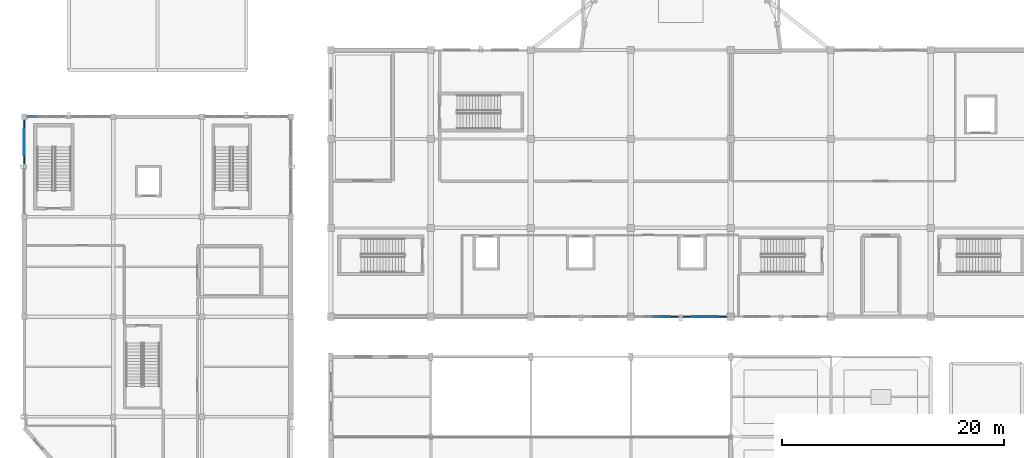
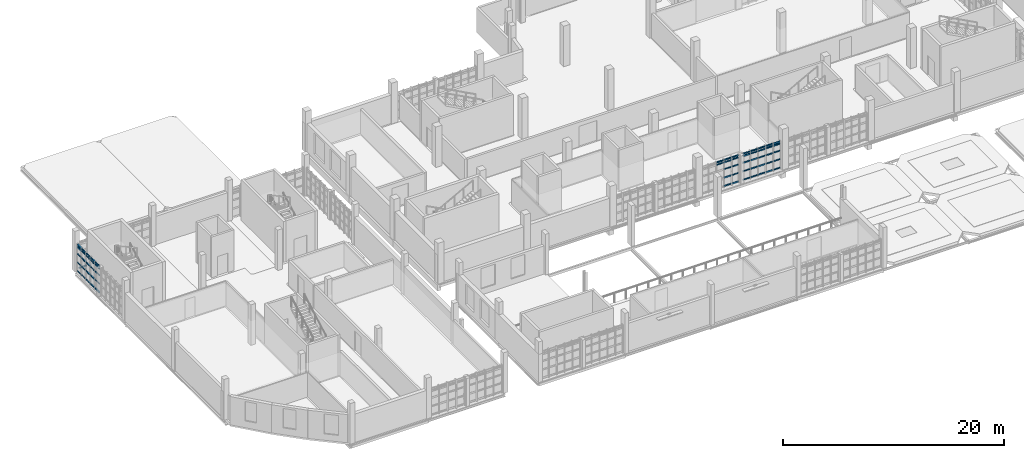
# One storey, part 56 of 125: 63 members, 4 elements without a shape of their own.
"""IFC4 building model written with IfcOpenShell, lengths in metres."""

from ifc_helpers import new_model, si_unit, direction, frame, origin, origin_2d, place, context, subcontext, project, spatial, rectangle, extrude, material, material_profile, profile_set, type_object, element, aggregate, save


model = new_model("IFC4")

# Units and contexts
model_context = context("Model", 3, precision=1e-05, world=origin(), true_north=direction((0.0, 1.0)))
body_context = subcontext(model_context, "Body", "Model", "MODEL_VIEW")
ifc_project = project(units=[si_unit("LENGTHUNIT", "METRE"), si_unit("AREAUNIT", "SQUARE_METRE"), si_unit("VOLUMEUNIT", "CUBIC_METRE"), si_unit("PLANEANGLEUNIT", "RADIAN"), si_unit("MASSUNIT", "GRAM", prefix="KILO")], contexts=[model_context])

# Site, building, storey
site_placement = place(None, origin())
site = spatial("IfcSite", under=ifc_project, at=site_placement, CompositionType="ELEMENT")
building_placement = place(site_placement, origin())
building = spatial("IfcBuilding", under=site, at=building_placement, Name="Serraforn Aerial Cableway Station", CompositionType="ELEMENT")
storey_placement = place(building_placement, frame((0.0, 0.0, 4.5)))
storey = spatial("IfcBuildingStorey", under=building, at=storey_placement, Name="L01", CompositionType="ELEMENT", Elevation=4.5)

# Curtain wall, members
ifc_material_1 = material(Name="Anodised bronze unitised curtain wall")
curtain_wall_type_1 = type_object("IfcCurtainWallType", Name="CW-SYS-19", PredefinedType="USERDEFINED", material=ifc_material_1)
curtain_wall_1_placement = place(storey_placement, origin())
curtain_wall_1 = element("IfcCurtainWall", 1, at=curtain_wall_1_placement, inside=storey, type_object=curtain_wall_type_1, Name="Unitised Curtain Wall CW-W-L01-W4A", ObjectType="UNITISED CURTAIN WALL", PredefinedType="USERDEFINED")
ifc_material_2 = material(Name="Anodised bronze extruded aluminium", Category="aluminium")
ifc_material_profile_1 = material_profile(ifc_material_2, rectangle(XDim=0.054931640625, YDim=0.110107421875, at=origin_2d()), Name="CW TRANSOM 55x110")
ifc_profile_set_1 = profile_set([ifc_material_profile_1], Name="Anodised bronze extruded aluminium")
member_type_1 = type_object("IfcMemberType", Name="CW-TRN-1", PredefinedType="USERDEFINED", material=ifc_profile_set_1)
member_1_placement = place(storey_placement, frame((0.0, 35.678955078125, 0.124755859375), z_axis=(0.0, -1.0, 0.0), x_axis=(1.0, 0.0, 0.0)))
member_1 = element("IfcMember", 2, at=member_1_placement, type_object=member_type_1, Name="Curtain Wall Transom CW-W-L01-W4A-T1-1", ObjectType="TRANSOM", PredefinedType="USERDEFINED", context=body_context, shape_type="SweptSolid", body=[
    extrude(rectangle(XDim=0.054931640625, YDim=0.110107421875, at=origin_2d()), origin(), (0.0, 0.0, 1.0), 0.7158203125),
])
member_2_placement = place(storey_placement, frame((0.0, 34.912109375, 2.9951171875), z_axis=(0.0, -1.0, 0.0), x_axis=(1.0, 0.0, 0.0)))
member_2 = element("IfcMember", 3, at=member_2_placement, type_object=member_type_1, Name="Curtain Wall Transom CW-W-L01-W4A-T2-5", ObjectType="TRANSOM", PredefinedType="USERDEFINED", context=body_context, shape_type="SweptSolid", body=[
    extrude(rectangle(XDim=0.054931640625, YDim=0.110107421875, at=origin_2d()), origin(), (0.0, 0.0, 1.0), 0.760986328125),
])
member_3_placement = place(storey_placement, frame((0.0, 34.09521484375, 2.74560546875), z_axis=(0.0, -1.0, 0.0), x_axis=(1.0, 0.0, 0.0)))
member_3 = element("IfcMember", 4, at=member_3_placement, type_object=member_type_1, Name="Curtain Wall Transom CW-W-L01-W4A-T3-4", ObjectType="TRANSOM", PredefinedType="USERDEFINED", context=body_context, shape_type="SweptSolid", body=[
    extrude(rectangle(XDim=0.054931640625, YDim=0.110107421875, at=origin_2d()), origin(), (0.0, 0.0, 1.0), 0.755859375),
])
member_4_placement = place(storey_placement, frame((0.0, 33.2783203125, 1.996826171875), z_axis=(0.0, -1.0, 0.0), x_axis=(1.0, 0.0, 0.0)))
member_4 = element("IfcMember", 5, at=member_4_placement, type_object=member_type_1, Name="Curtain Wall Transom CW-W-L01-W4A-T4-3", ObjectType="TRANSOM", PredefinedType="USERDEFINED", context=body_context, shape_type="SweptSolid", body=[
    extrude(rectangle(XDim=0.054931640625, YDim=0.110107421875, at=origin_2d()), origin(), (0.0, 0.0, 1.0), 0.7509765625),
])
member_5_placement = place(storey_placement, frame((0.0, 32.46142578125, 1.060791015625), z_axis=(0.0, -1.0, 0.0), x_axis=(1.0, 0.0, 0.0)))
member_5 = element("IfcMember", 6, at=member_5_placement, type_object=member_type_1, Name="Curtain Wall Transom CW-W-L01-W4A-T5-2", ObjectType="TRANSOM", PredefinedType="USERDEFINED", context=body_context, shape_type="SweptSolid", body=[
    extrude(rectangle(XDim=0.054931640625, YDim=0.110107421875, at=origin_2d()), origin(), (0.0, 0.0, 1.0), 0.70849609375),
])

curtain_wall_type_2 = type_object("IfcCurtainWallType", Name="CW-SYS-23", PredefinedType="USERDEFINED", material=ifc_material_1)
curtain_wall_2_placement = place(storey_placement, origin())
curtain_wall_2 = element("IfcCurtainWall", 7, at=curtain_wall_2_placement, inside=storey, type_object=curtain_wall_type_2, Name="Unitised Curtain Wall CW-CV-L01-S4A", ObjectType="UNITISED CURTAIN WALL", PredefinedType="USERDEFINED")
member_6_placement = place(storey_placement, frame((56.5498046875, 18.0, 2.74560546875), z_axis=(1.0, 0.0, 0.0), x_axis=(0.0, 1.0, 0.0)))
member_6 = element("IfcMember", 8, at=member_6_placement, type_object=member_type_1, Name="Curtain Wall Transom CW-CV-L01-S4A-T3-4", ObjectType="TRANSOM", PredefinedType="USERDEFINED", context=body_context, shape_type="SweptSolid", body=[
    extrude(rectangle(XDim=0.054931640625, YDim=0.110107421875, at=origin_2d()), origin(), (0.0, 0.0, 1.0), 0.740966796875),
])
member_7_placement = place(storey_placement, frame((57.351806640625, 18.0, 1.996826171875), z_axis=(1.0, 0.0, 0.0), x_axis=(0.0, 1.0, 0.0)))
member_7 = element("IfcMember", 9, at=member_7_placement, type_object=member_type_1, Name="Curtain Wall Transom CW-CV-L01-S4A-T4-3", ObjectType="TRANSOM", PredefinedType="USERDEFINED", context=body_context, shape_type="SweptSolid", body=[
    extrude(rectangle(XDim=0.054931640625, YDim=0.110107421875, at=origin_2d()), origin(), (0.0, 0.0, 1.0), 0.73583984375),
])
member_8_placement = place(storey_placement, frame((58.153564453125, 18.0, 1.060791015625), z_axis=(1.0, 0.0, 0.0), x_axis=(0.0, 1.0, 0.0)))
member_8 = element("IfcMember", 10, at=member_8_placement, type_object=member_type_1, Name="Curtain Wall Transom CW-CV-L01-S4A-T5-2", ObjectType="TRANSOM", PredefinedType="USERDEFINED", context=body_context, shape_type="SweptSolid", body=[
    extrude(rectangle(XDim=0.054931640625, YDim=0.110107421875, at=origin_2d()), origin(), (0.0, 0.0, 1.0), 0.693359375),
])

curtain_wall_type_3 = type_object("IfcCurtainWallType", Name="CW-SYS-24", PredefinedType="USERDEFINED", material=ifc_material_1)
curtain_wall_3_placement = place(storey_placement, origin())
curtain_wall_3 = element("IfcCurtainWall", 11, at=curtain_wall_3_placement, inside=storey, type_object=curtain_wall_type_3, Name="Unitised Curtain Wall CW-CV-L01-S4B", ObjectType="UNITISED CURTAIN WALL", PredefinedType="USERDEFINED")
member_9_placement = place(storey_placement, frame((59.3330078125, 18.0, 2.9951171875), z_axis=(1.0, 0.0, 0.0), x_axis=(0.0, 1.0, 0.0)))
member_9 = element("IfcMember", 12, at=member_9_placement, type_object=member_type_1, Name="Curtain Wall Transom CW-CV-L01-S4B-T1-5", ObjectType="TRANSOM", PredefinedType="USERDEFINED", context=body_context, shape_type="SweptSolid", body=[
    extrude(rectangle(XDim=0.054931640625, YDim=0.110107421875, at=origin_2d()), origin(), (0.0, 0.0, 1.0), 0.718505859375),
])
member_10_placement = place(storey_placement, frame((60.107421875, 18.0, 2.74560546875), z_axis=(1.0, 0.0, 0.0), x_axis=(0.0, 1.0, 0.0)))
member_10 = element("IfcMember", 13, at=member_10_placement, type_object=member_type_1, Name="Curtain Wall Transom CW-CV-L01-S4B-T2-4", ObjectType="TRANSOM", PredefinedType="USERDEFINED", context=body_context, shape_type="SweptSolid", body=[
    extrude(rectangle(XDim=0.054931640625, YDim=0.110107421875, at=origin_2d()), origin(), (0.0, 0.0, 1.0), 0.740966796875),
])
member_11_placement = place(storey_placement, frame((60.9091796875, 18.0, 1.996826171875), z_axis=(1.0, 0.0, 0.0), x_axis=(0.0, 1.0, 0.0)))
member_11 = element("IfcMember", 14, at=member_11_placement, type_object=member_type_1, Name="Curtain Wall Transom CW-CV-L01-S4B-T3-3", ObjectType="TRANSOM", PredefinedType="USERDEFINED", context=body_context, shape_type="SweptSolid", body=[
    extrude(rectangle(XDim=0.054931640625, YDim=0.110107421875, at=origin_2d()), origin(), (0.0, 0.0, 1.0), 0.736083984375),
])
member_12_placement = place(storey_placement, frame((61.711181640625, 18.0, 1.060791015625), z_axis=(1.0, 0.0, 0.0), x_axis=(0.0, 1.0, 0.0)))
member_12 = element("IfcMember", 15, at=member_12_placement, type_object=member_type_1, Name="Curtain Wall Transom CW-CV-L01-S4B-T4-2", ObjectType="TRANSOM", PredefinedType="USERDEFINED", context=body_context, shape_type="SweptSolid", body=[
    extrude(rectangle(XDim=0.054931640625, YDim=0.110107421875, at=origin_2d()), origin(), (0.0, 0.0, 1.0), 0.73095703125),
])
member_13_placement = place(storey_placement, frame((62.51318359375, 18.0, 0.124755859375), z_axis=(1.0, 0.0, 0.0), x_axis=(0.0, 1.0, 0.0)))
member_13 = element("IfcMember", 16, at=member_13_placement, type_object=member_type_1, Name="Curtain Wall Transom CW-CV-L01-S4B-T5-1", ObjectType="TRANSOM", PredefinedType="USERDEFINED", context=body_context, shape_type="SweptSolid", body=[
    extrude(rectangle(XDim=0.054931640625, YDim=0.110107421875, at=origin_2d()), origin(), (0.0, 0.0, 1.0), 0.7109375),
])

# Member
ifc_material_profile_2 = material_profile(ifc_material_2, rectangle(XDim=0.06005859375, YDim=0.1201171875, at=origin_2d()), Name="CW TRANSOM 60x120")
ifc_profile_set_2 = profile_set([ifc_material_profile_2], Name="Anodised bronze extruded aluminium")
member_type_2 = type_object("IfcMemberType", Name="CW-TRN-2", PredefinedType="USERDEFINED", material=ifc_profile_set_2)
member_14_placement = place(storey_placement, frame((0.0, 35.678955078125, 1.060791015625), z_axis=(0.0, -1.0, 0.0), x_axis=(1.0, 0.0, 0.0)))
member_14 = element("IfcMember", 17, at=member_14_placement, type_object=member_type_2, Name="Curtain Wall Transom CW-W-L01-W4A-T1-2", ObjectType="TRANSOM", PredefinedType="USERDEFINED", context=body_context, shape_type="SweptSolid", body=[
    extrude(rectangle(XDim=0.06005859375, YDim=0.1201171875, at=origin_2d()), origin(), (0.0, 0.0, 1.0), 0.7158203125),
])

member_15_placement = place(storey_placement, frame((0.0, 34.912109375, 0.124755859375), z_axis=(0.0, -1.0, 0.0), x_axis=(1.0, 0.0, 0.0)))
member_15 = element("IfcMember", 18, at=member_15_placement, type_object=member_type_2, Name="Curtain Wall Transom CW-W-L01-W4A-T2-1", ObjectType="TRANSOM", PredefinedType="USERDEFINED", context=body_context, shape_type="SweptSolid", body=[
    extrude(rectangle(XDim=0.06005859375, YDim=0.1201171875, at=origin_2d()), origin(), (0.0, 0.0, 1.0), 0.760986328125),
])

member_16_placement = place(storey_placement, frame((0.0, 34.09521484375, 2.9951171875), z_axis=(0.0, -1.0, 0.0), x_axis=(1.0, 0.0, 0.0)))
member_16 = element("IfcMember", 19, at=member_16_placement, type_object=member_type_2, Name="Curtain Wall Transom CW-W-L01-W4A-T3-5", ObjectType="TRANSOM", PredefinedType="USERDEFINED", context=body_context, shape_type="SweptSolid", body=[
    extrude(rectangle(XDim=0.06005859375, YDim=0.1201171875, at=origin_2d()), origin(), (0.0, 0.0, 1.0), 0.755859375),
])

member_17_placement = place(storey_placement, frame((0.0, 33.2783203125, 2.74560546875), z_axis=(0.0, -1.0, 0.0), x_axis=(1.0, 0.0, 0.0)))
member_17 = element("IfcMember", 20, at=member_17_placement, type_object=member_type_2, Name="Curtain Wall Transom CW-W-L01-W4A-T4-4", ObjectType="TRANSOM", PredefinedType="USERDEFINED", context=body_context, shape_type="SweptSolid", body=[
    extrude(rectangle(XDim=0.06005859375, YDim=0.1201171875, at=origin_2d()), origin(), (0.0, 0.0, 1.0), 0.7509765625),
])

member_18_placement = place(storey_placement, frame((0.0, 32.46142578125, 1.996826171875), z_axis=(0.0, -1.0, 0.0), x_axis=(1.0, 0.0, 0.0)))
member_18 = element("IfcMember", 21, at=member_18_placement, type_object=member_type_2, Name="Curtain Wall Transom CW-W-L01-W4A-T5-3", ObjectType="TRANSOM", PredefinedType="USERDEFINED", context=body_context, shape_type="SweptSolid", body=[
    extrude(rectangle(XDim=0.06005859375, YDim=0.1201171875, at=origin_2d()), origin(), (0.0, 0.0, 1.0), 0.70849609375),
])

member_19_placement = place(storey_placement, frame((56.5498046875, 18.0, 2.9951171875), z_axis=(1.0, 0.0, 0.0), x_axis=(0.0, 1.0, 0.0)))
member_19 = element("IfcMember", 22, at=member_19_placement, type_object=member_type_2, Name="Curtain Wall Transom CW-CV-L01-S4A-T3-5", ObjectType="TRANSOM", PredefinedType="USERDEFINED", context=body_context, shape_type="SweptSolid", body=[
    extrude(rectangle(XDim=0.06005859375, YDim=0.1201171875, at=origin_2d()), origin(), (0.0, 0.0, 1.0), 0.740966796875),
])

member_20_placement = place(storey_placement, frame((57.351806640625, 18.0, 2.74560546875), z_axis=(1.0, 0.0, 0.0), x_axis=(0.0, 1.0, 0.0)))
member_20 = element("IfcMember", 23, at=member_20_placement, type_object=member_type_2, Name="Curtain Wall Transom CW-CV-L01-S4A-T4-4", ObjectType="TRANSOM", PredefinedType="USERDEFINED", context=body_context, shape_type="SweptSolid", body=[
    extrude(rectangle(XDim=0.06005859375, YDim=0.1201171875, at=origin_2d()), origin(), (0.0, 0.0, 1.0), 0.73583984375),
])

member_21_placement = place(storey_placement, frame((58.153564453125, 18.0, 1.996826171875), z_axis=(1.0, 0.0, 0.0), x_axis=(0.0, 1.0, 0.0)))
member_21 = element("IfcMember", 24, at=member_21_placement, type_object=member_type_2, Name="Curtain Wall Transom CW-CV-L01-S4A-T5-3", ObjectType="TRANSOM", PredefinedType="USERDEFINED", context=body_context, shape_type="SweptSolid", body=[
    extrude(rectangle(XDim=0.06005859375, YDim=0.1201171875, at=origin_2d()), origin(), (0.0, 0.0, 1.0), 0.693359375),
])

member_22_placement = place(storey_placement, frame((59.3330078125, 18.0, 0.124755859375), z_axis=(1.0, 0.0, 0.0), x_axis=(0.0, 1.0, 0.0)))
member_22 = element("IfcMember", 25, at=member_22_placement, type_object=member_type_2, Name="Curtain Wall Transom CW-CV-L01-S4B-T1-1", ObjectType="TRANSOM", PredefinedType="USERDEFINED", context=body_context, shape_type="SweptSolid", body=[
    extrude(rectangle(XDim=0.06005859375, YDim=0.1201171875, at=origin_2d()), origin(), (0.0, 0.0, 1.0), 0.718505859375),
])

member_23_placement = place(storey_placement, frame((60.107421875, 18.0, 2.9951171875), z_axis=(1.0, 0.0, 0.0), x_axis=(0.0, 1.0, 0.0)))
member_23 = element("IfcMember", 26, at=member_23_placement, type_object=member_type_2, Name="Curtain Wall Transom CW-CV-L01-S4B-T2-5", ObjectType="TRANSOM", PredefinedType="USERDEFINED", context=body_context, shape_type="SweptSolid", body=[
    extrude(rectangle(XDim=0.06005859375, YDim=0.1201171875, at=origin_2d()), origin(), (0.0, 0.0, 1.0), 0.740966796875),
])

member_24_placement = place(storey_placement, frame((60.9091796875, 18.0, 2.74560546875), z_axis=(1.0, 0.0, 0.0), x_axis=(0.0, 1.0, 0.0)))
member_24 = element("IfcMember", 27, at=member_24_placement, type_object=member_type_2, Name="Curtain Wall Transom CW-CV-L01-S4B-T3-4", ObjectType="TRANSOM", PredefinedType="USERDEFINED", context=body_context, shape_type="SweptSolid", body=[
    extrude(rectangle(XDim=0.06005859375, YDim=0.1201171875, at=origin_2d()), origin(), (0.0, 0.0, 1.0), 0.736083984375),
])

member_25_placement = place(storey_placement, frame((61.711181640625, 18.0, 1.996826171875), z_axis=(1.0, 0.0, 0.0), x_axis=(0.0, 1.0, 0.0)))
member_25 = element("IfcMember", 28, at=member_25_placement, type_object=member_type_2, Name="Curtain Wall Transom CW-CV-L01-S4B-T4-3", ObjectType="TRANSOM", PredefinedType="USERDEFINED", context=body_context, shape_type="SweptSolid", body=[
    extrude(rectangle(XDim=0.06005859375, YDim=0.1201171875, at=origin_2d()), origin(), (0.0, 0.0, 1.0), 0.73095703125),
])

member_26_placement = place(storey_placement, frame((62.51318359375, 18.0, 1.060791015625), z_axis=(1.0, 0.0, 0.0), x_axis=(0.0, 1.0, 0.0)))
member_26 = element("IfcMember", 29, at=member_26_placement, type_object=member_type_2, Name="Curtain Wall Transom CW-CV-L01-S4B-T5-2", ObjectType="TRANSOM", PredefinedType="USERDEFINED", context=body_context, shape_type="SweptSolid", body=[
    extrude(rectangle(XDim=0.06005859375, YDim=0.1201171875, at=origin_2d()), origin(), (0.0, 0.0, 1.0), 0.7109375),
])

ifc_material_profile_3 = material_profile(ifc_material_2, rectangle(XDim=0.06494140625, YDim=0.135009765625, at=origin_2d()), Name="CW TRANSOM 65x135")
ifc_profile_set_3 = profile_set([ifc_material_profile_3], Name="Anodised bronze extruded aluminium")
member_type_3 = type_object("IfcMemberType", Name="CW-TRN-3", PredefinedType="USERDEFINED", material=ifc_profile_set_3)
member_27_placement = place(storey_placement, frame((0.0, 35.678955078125, 1.996826171875), z_axis=(0.0, -1.0, 0.0), x_axis=(1.0, 0.0, 0.0)))
member_27 = element("IfcMember", 30, at=member_27_placement, type_object=member_type_3, Name="Curtain Wall Transom CW-W-L01-W4A-T1-3", ObjectType="TRANSOM", PredefinedType="USERDEFINED", context=body_context, shape_type="SweptSolid", body=[
    extrude(rectangle(XDim=0.06494140625, YDim=0.135009765625, at=origin_2d()), origin(), (0.0, 0.0, 1.0), 0.7158203125),
])

member_28_placement = place(storey_placement, frame((0.0, 34.912109375, 1.060791015625), z_axis=(0.0, -1.0, 0.0), x_axis=(1.0, 0.0, 0.0)))
member_28 = element("IfcMember", 31, at=member_28_placement, type_object=member_type_3, Name="Curtain Wall Transom CW-W-L01-W4A-T2-2", ObjectType="TRANSOM", PredefinedType="USERDEFINED", context=body_context, shape_type="SweptSolid", body=[
    extrude(rectangle(XDim=0.06494140625, YDim=0.135009765625, at=origin_2d()), origin(), (0.0, 0.0, 1.0), 0.760986328125),
])

member_29_placement = place(storey_placement, frame((0.0, 34.09521484375, 0.124755859375), z_axis=(0.0, -1.0, 0.0), x_axis=(1.0, 0.0, 0.0)))
member_29 = element("IfcMember", 32, at=member_29_placement, type_object=member_type_3, Name="Curtain Wall Transom CW-W-L01-W4A-T3-1", ObjectType="TRANSOM", PredefinedType="USERDEFINED", context=body_context, shape_type="SweptSolid", body=[
    extrude(rectangle(XDim=0.06494140625, YDim=0.135009765625, at=origin_2d()), origin(), (0.0, 0.0, 1.0), 0.755859375),
])

member_30_placement = place(storey_placement, frame((0.0, 33.2783203125, 2.9951171875), z_axis=(0.0, -1.0, 0.0), x_axis=(1.0, 0.0, 0.0)))
member_30 = element("IfcMember", 33, at=member_30_placement, type_object=member_type_3, Name="Curtain Wall Transom CW-W-L01-W4A-T4-5", ObjectType="TRANSOM", PredefinedType="USERDEFINED", context=body_context, shape_type="SweptSolid", body=[
    extrude(rectangle(XDim=0.06494140625, YDim=0.135009765625, at=origin_2d()), origin(), (0.0, 0.0, 1.0), 0.7509765625),
])

member_31_placement = place(storey_placement, frame((0.0, 32.46142578125, 2.74560546875), z_axis=(0.0, -1.0, 0.0), x_axis=(1.0, 0.0, 0.0)))
member_31 = element("IfcMember", 34, at=member_31_placement, type_object=member_type_3, Name="Curtain Wall Transom CW-W-L01-W4A-T5-4", ObjectType="TRANSOM", PredefinedType="USERDEFINED", context=body_context, shape_type="SweptSolid", body=[
    extrude(rectangle(XDim=0.06494140625, YDim=0.135009765625, at=origin_2d()), origin(), (0.0, 0.0, 1.0), 0.70849609375),
])

member_32_placement = place(storey_placement, frame((57.351806640625, 18.0, 2.9951171875), z_axis=(1.0, 0.0, 0.0), x_axis=(0.0, 1.0, 0.0)))
member_32 = element("IfcMember", 35, at=member_32_placement, type_object=member_type_3, Name="Curtain Wall Transom CW-CV-L01-S4A-T4-5", ObjectType="TRANSOM", PredefinedType="USERDEFINED", context=body_context, shape_type="SweptSolid", body=[
    extrude(rectangle(XDim=0.06494140625, YDim=0.135009765625, at=origin_2d()), origin(), (0.0, 0.0, 1.0), 0.73583984375),
])

member_33_placement = place(storey_placement, frame((58.153564453125, 18.0, 2.74560546875), z_axis=(1.0, 0.0, 0.0), x_axis=(0.0, 1.0, 0.0)))
member_33 = element("IfcMember", 36, at=member_33_placement, type_object=member_type_3, Name="Curtain Wall Transom CW-CV-L01-S4A-T5-4", ObjectType="TRANSOM", PredefinedType="USERDEFINED", context=body_context, shape_type="SweptSolid", body=[
    extrude(rectangle(XDim=0.06494140625, YDim=0.135009765625, at=origin_2d()), origin(), (0.0, 0.0, 1.0), 0.693359375),
])

member_34_placement = place(storey_placement, frame((59.3330078125, 18.0, 1.060791015625), z_axis=(1.0, 0.0, 0.0), x_axis=(0.0, 1.0, 0.0)))
member_34 = element("IfcMember", 37, at=member_34_placement, type_object=member_type_3, Name="Curtain Wall Transom CW-CV-L01-S4B-T1-2", ObjectType="TRANSOM", PredefinedType="USERDEFINED", context=body_context, shape_type="SweptSolid", body=[
    extrude(rectangle(XDim=0.06494140625, YDim=0.135009765625, at=origin_2d()), origin(), (0.0, 0.0, 1.0), 0.718505859375),
])

member_35_placement = place(storey_placement, frame((60.107421875, 18.0, 0.124755859375), z_axis=(1.0, 0.0, 0.0), x_axis=(0.0, 1.0, 0.0)))
member_35 = element("IfcMember", 38, at=member_35_placement, type_object=member_type_3, Name="Curtain Wall Transom CW-CV-L01-S4B-T2-1", ObjectType="TRANSOM", PredefinedType="USERDEFINED", context=body_context, shape_type="SweptSolid", body=[
    extrude(rectangle(XDim=0.06494140625, YDim=0.135009765625, at=origin_2d()), origin(), (0.0, 0.0, 1.0), 0.740966796875),
])

member_36_placement = place(storey_placement, frame((60.9091796875, 18.0, 2.9951171875), z_axis=(1.0, 0.0, 0.0), x_axis=(0.0, 1.0, 0.0)))
member_36 = element("IfcMember", 39, at=member_36_placement, type_object=member_type_3, Name="Curtain Wall Transom CW-CV-L01-S4B-T3-5", ObjectType="TRANSOM", PredefinedType="USERDEFINED", context=body_context, shape_type="SweptSolid", body=[
    extrude(rectangle(XDim=0.06494140625, YDim=0.135009765625, at=origin_2d()), origin(), (0.0, 0.0, 1.0), 0.736083984375),
])

member_37_placement = place(storey_placement, frame((61.711181640625, 18.0, 2.74560546875), z_axis=(1.0, 0.0, 0.0), x_axis=(0.0, 1.0, 0.0)))
member_37 = element("IfcMember", 40, at=member_37_placement, type_object=member_type_3, Name="Curtain Wall Transom CW-CV-L01-S4B-T4-4", ObjectType="TRANSOM", PredefinedType="USERDEFINED", context=body_context, shape_type="SweptSolid", body=[
    extrude(rectangle(XDim=0.06494140625, YDim=0.135009765625, at=origin_2d()), origin(), (0.0, 0.0, 1.0), 0.73095703125),
])

member_38_placement = place(storey_placement, frame((62.51318359375, 18.0, 1.996826171875), z_axis=(1.0, 0.0, 0.0), x_axis=(0.0, 1.0, 0.0)))
member_38 = element("IfcMember", 41, at=member_38_placement, type_object=member_type_3, Name="Curtain Wall Transom CW-CV-L01-S4B-T5-3", ObjectType="TRANSOM", PredefinedType="USERDEFINED", context=body_context, shape_type="SweptSolid", body=[
    extrude(rectangle(XDim=0.06494140625, YDim=0.135009765625, at=origin_2d()), origin(), (0.0, 0.0, 1.0), 0.7109375),
])

# Curtain wall, member
curtain_wall_type_4 = type_object("IfcCurtainWallType", Name="CW-SYS-14", PredefinedType="USERDEFINED", material=ifc_material_1)
curtain_wall_4_placement = place(storey_placement, origin())
curtain_wall_4 = element("IfcCurtainWall", 42, at=curtain_wall_4_placement, inside=storey, type_object=curtain_wall_type_4, Name="Unitised Curtain Wall CW-W-L01-N1B", ObjectType="UNITISED CURTAIN WALL", PredefinedType="USERDEFINED")
ifc_material_profile_4 = material_profile(ifc_material_2, rectangle(XDim=0.070068359375, YDim=0.14990234375, at=origin_2d()), Name="CW TRANSOM 70x150")
ifc_profile_set_4 = profile_set([ifc_material_profile_4], Name="Anodised bronze extruded aluminium")
member_type_4 = type_object("IfcMemberType", Name="CW-TRN-4", PredefinedType="USERDEFINED", material=ifc_profile_set_4)
member_39_placement = place(storey_placement, frame((1.110595703125, 36.0, 0.124755859375), z_axis=(-1.0, 0.0, 0.0), x_axis=(0.0, -1.0, 0.0)))
member_39 = element("IfcMember", 43, at=member_39_placement, type_object=member_type_4, Name="Curtain Wall Transom CW-W-L01-N1B-T4-1", ObjectType="TRANSOM", PredefinedType="USERDEFINED", context=body_context, shape_type="SweptSolid", body=[
    extrude(rectangle(XDim=0.070068359375, YDim=0.14990234375, at=origin_2d()), origin(), (0.0, 0.0, 1.0), 0.794677734375),
])
aggregate(curtain_wall_4, [member_39])

# Member
member_40_placement = place(storey_placement, frame((0.0, 35.678955078125, 2.74560546875), z_axis=(0.0, -1.0, 0.0), x_axis=(1.0, 0.0, 0.0)))
member_40 = element("IfcMember", 44, at=member_40_placement, type_object=member_type_4, Name="Curtain Wall Transom CW-W-L01-W4A-T1-4", ObjectType="TRANSOM", PredefinedType="USERDEFINED", context=body_context, shape_type="SweptSolid", body=[
    extrude(rectangle(XDim=0.070068359375, YDim=0.14990234375, at=origin_2d()), origin(), (0.0, 0.0, 1.0), 0.7158203125),
])

member_41_placement = place(storey_placement, frame((0.0, 34.912109375, 1.996826171875), z_axis=(0.0, -1.0, 0.0), x_axis=(1.0, 0.0, 0.0)))
member_41 = element("IfcMember", 45, at=member_41_placement, type_object=member_type_4, Name="Curtain Wall Transom CW-W-L01-W4A-T2-3", ObjectType="TRANSOM", PredefinedType="USERDEFINED", context=body_context, shape_type="SweptSolid", body=[
    extrude(rectangle(XDim=0.070068359375, YDim=0.14990234375, at=origin_2d()), origin(), (0.0, 0.0, 1.0), 0.760986328125),
])

member_42_placement = place(storey_placement, frame((0.0, 34.09521484375, 1.060791015625), z_axis=(0.0, -1.0, 0.0), x_axis=(1.0, 0.0, 0.0)))
member_42 = element("IfcMember", 46, at=member_42_placement, type_object=member_type_4, Name="Curtain Wall Transom CW-W-L01-W4A-T3-2", ObjectType="TRANSOM", PredefinedType="USERDEFINED", context=body_context, shape_type="SweptSolid", body=[
    extrude(rectangle(XDim=0.070068359375, YDim=0.14990234375, at=origin_2d()), origin(), (0.0, 0.0, 1.0), 0.755859375),
])

member_43_placement = place(storey_placement, frame((0.0, 33.2783203125, 0.124755859375), z_axis=(0.0, -1.0, 0.0), x_axis=(1.0, 0.0, 0.0)))
member_43 = element("IfcMember", 47, at=member_43_placement, type_object=member_type_4, Name="Curtain Wall Transom CW-W-L01-W4A-T4-1", ObjectType="TRANSOM", PredefinedType="USERDEFINED", context=body_context, shape_type="SweptSolid", body=[
    extrude(rectangle(XDim=0.070068359375, YDim=0.14990234375, at=origin_2d()), origin(), (0.0, 0.0, 1.0), 0.7509765625),
])

member_44_placement = place(storey_placement, frame((0.0, 32.46142578125, 2.9951171875), z_axis=(0.0, -1.0, 0.0), x_axis=(1.0, 0.0, 0.0)))
member_44 = element("IfcMember", 48, at=member_44_placement, type_object=member_type_4, Name="Curtain Wall Transom CW-W-L01-W4A-T5-5", ObjectType="TRANSOM", PredefinedType="USERDEFINED", context=body_context, shape_type="SweptSolid", body=[
    extrude(rectangle(XDim=0.070068359375, YDim=0.14990234375, at=origin_2d()), origin(), (0.0, 0.0, 1.0), 0.70849609375),
])

member_45_placement = place(storey_placement, frame((57.351806640625, 18.0, 0.124755859375), z_axis=(1.0, 0.0, 0.0), x_axis=(0.0, 1.0, 0.0)))
member_45 = element("IfcMember", 49, at=member_45_placement, type_object=member_type_4, Name="Curtain Wall Transom CW-CV-L01-S4A-T4-1", ObjectType="TRANSOM", PredefinedType="USERDEFINED", context=body_context, shape_type="SweptSolid", body=[
    extrude(rectangle(XDim=0.070068359375, YDim=0.14990234375, at=origin_2d()), origin(), (0.0, 0.0, 1.0), 0.73583984375),
])

member_46_placement = place(storey_placement, frame((58.153564453125, 18.0, 2.9951171875), z_axis=(1.0, 0.0, 0.0), x_axis=(0.0, 1.0, 0.0)))
member_46 = element("IfcMember", 50, at=member_46_placement, type_object=member_type_4, Name="Curtain Wall Transom CW-CV-L01-S4A-T5-5", ObjectType="TRANSOM", PredefinedType="USERDEFINED", context=body_context, shape_type="SweptSolid", body=[
    extrude(rectangle(XDim=0.070068359375, YDim=0.14990234375, at=origin_2d()), origin(), (0.0, 0.0, 1.0), 0.693359375),
])

member_47_placement = place(storey_placement, frame((59.3330078125, 18.0, 1.996826171875), z_axis=(1.0, 0.0, 0.0), x_axis=(0.0, 1.0, 0.0)))
member_47 = element("IfcMember", 51, at=member_47_placement, type_object=member_type_4, Name="Curtain Wall Transom CW-CV-L01-S4B-T1-3", ObjectType="TRANSOM", PredefinedType="USERDEFINED", context=body_context, shape_type="SweptSolid", body=[
    extrude(rectangle(XDim=0.070068359375, YDim=0.14990234375, at=origin_2d()), origin(), (0.0, 0.0, 1.0), 0.718505859375),
])

member_48_placement = place(storey_placement, frame((60.107421875, 18.0, 1.060791015625), z_axis=(1.0, 0.0, 0.0), x_axis=(0.0, 1.0, 0.0)))
member_48 = element("IfcMember", 52, at=member_48_placement, type_object=member_type_4, Name="Curtain Wall Transom CW-CV-L01-S4B-T2-2", ObjectType="TRANSOM", PredefinedType="USERDEFINED", context=body_context, shape_type="SweptSolid", body=[
    extrude(rectangle(XDim=0.070068359375, YDim=0.14990234375, at=origin_2d()), origin(), (0.0, 0.0, 1.0), 0.740966796875),
])

member_49_placement = place(storey_placement, frame((60.9091796875, 18.0, 0.124755859375), z_axis=(1.0, 0.0, 0.0), x_axis=(0.0, 1.0, 0.0)))
member_49 = element("IfcMember", 53, at=member_49_placement, type_object=member_type_4, Name="Curtain Wall Transom CW-CV-L01-S4B-T3-1", ObjectType="TRANSOM", PredefinedType="USERDEFINED", context=body_context, shape_type="SweptSolid", body=[
    extrude(rectangle(XDim=0.070068359375, YDim=0.14990234375, at=origin_2d()), origin(), (0.0, 0.0, 1.0), 0.736083984375),
])

member_50_placement = place(storey_placement, frame((61.711181640625, 18.0, 2.9951171875), z_axis=(1.0, 0.0, 0.0), x_axis=(0.0, 1.0, 0.0)))
member_50 = element("IfcMember", 54, at=member_50_placement, type_object=member_type_4, Name="Curtain Wall Transom CW-CV-L01-S4B-T4-5", ObjectType="TRANSOM", PredefinedType="USERDEFINED", context=body_context, shape_type="SweptSolid", body=[
    extrude(rectangle(XDim=0.070068359375, YDim=0.14990234375, at=origin_2d()), origin(), (0.0, 0.0, 1.0), 0.73095703125),
])

member_51_placement = place(storey_placement, frame((62.51318359375, 18.0, 2.74560546875), z_axis=(1.0, 0.0, 0.0), x_axis=(0.0, 1.0, 0.0)))
member_51 = element("IfcMember", 55, at=member_51_placement, type_object=member_type_4, Name="Curtain Wall Transom CW-CV-L01-S4B-T5-4", ObjectType="TRANSOM", PredefinedType="USERDEFINED", context=body_context, shape_type="SweptSolid", body=[
    extrude(rectangle(XDim=0.070068359375, YDim=0.14990234375, at=origin_2d()), origin(), (0.0, 0.0, 1.0), 0.7109375),
])

ifc_material_profile_5 = material_profile(ifc_material_2, rectangle(XDim=0.074951171875, YDim=0.1650390625, at=origin_2d()), Name="CW TRANSOM 75x165")
ifc_profile_set_5 = profile_set([ifc_material_profile_5], Name="Anodised bronze extruded aluminium")
member_type_5 = type_object("IfcMemberType", Name="CW-TRN-5", PredefinedType="USERDEFINED", material=ifc_profile_set_5)
member_52_placement = place(storey_placement, frame((0.0, 35.678955078125, 2.9951171875), z_axis=(0.0, -1.0, 0.0), x_axis=(1.0, 0.0, 0.0)))
member_52 = element("IfcMember", 56, at=member_52_placement, type_object=member_type_5, Name="Curtain Wall Transom CW-W-L01-W4A-T1-5", ObjectType="TRANSOM", PredefinedType="USERDEFINED", context=body_context, shape_type="SweptSolid", body=[
    extrude(rectangle(XDim=0.074951171875, YDim=0.1650390625, at=origin_2d()), origin(), (0.0, 0.0, 1.0), 0.7158203125),
])

member_53_placement = place(storey_placement, frame((0.0, 34.912109375, 2.74560546875), z_axis=(0.0, -1.0, 0.0), x_axis=(1.0, 0.0, 0.0)))
member_53 = element("IfcMember", 57, at=member_53_placement, type_object=member_type_5, Name="Curtain Wall Transom CW-W-L01-W4A-T2-4", ObjectType="TRANSOM", PredefinedType="USERDEFINED", context=body_context, shape_type="SweptSolid", body=[
    extrude(rectangle(XDim=0.074951171875, YDim=0.1650390625, at=origin_2d()), origin(), (0.0, 0.0, 1.0), 0.760986328125),
])

member_54_placement = place(storey_placement, frame((0.0, 34.09521484375, 1.996826171875), z_axis=(0.0, -1.0, 0.0), x_axis=(1.0, 0.0, 0.0)))
member_54 = element("IfcMember", 58, at=member_54_placement, type_object=member_type_5, Name="Curtain Wall Transom CW-W-L01-W4A-T3-3", ObjectType="TRANSOM", PredefinedType="USERDEFINED", context=body_context, shape_type="SweptSolid", body=[
    extrude(rectangle(XDim=0.074951171875, YDim=0.1650390625, at=origin_2d()), origin(), (0.0, 0.0, 1.0), 0.755859375),
])

member_55_placement = place(storey_placement, frame((0.0, 33.2783203125, 1.060791015625), z_axis=(0.0, -1.0, 0.0), x_axis=(1.0, 0.0, 0.0)))
member_55 = element("IfcMember", 59, at=member_55_placement, type_object=member_type_5, Name="Curtain Wall Transom CW-W-L01-W4A-T4-2", ObjectType="TRANSOM", PredefinedType="USERDEFINED", context=body_context, shape_type="SweptSolid", body=[
    extrude(rectangle(XDim=0.074951171875, YDim=0.1650390625, at=origin_2d()), origin(), (0.0, 0.0, 1.0), 0.7509765625),
])

member_56_placement = place(storey_placement, frame((0.0, 32.46142578125, 0.124755859375), z_axis=(0.0, -1.0, 0.0), x_axis=(1.0, 0.0, 0.0)))
member_56 = element("IfcMember", 60, at=member_56_placement, type_object=member_type_5, Name="Curtain Wall Transom CW-W-L01-W4A-T5-1", ObjectType="TRANSOM", PredefinedType="USERDEFINED", context=body_context, shape_type="SweptSolid", body=[
    extrude(rectangle(XDim=0.074951171875, YDim=0.1650390625, at=origin_2d()), origin(), (0.0, 0.0, 1.0), 0.70849609375),
])

aggregate(curtain_wall_1, [member_1, member_14, member_27, member_40, member_52, member_15, member_28, member_41, member_53, member_2, member_29, member_42, member_54, member_3, member_16, member_43, member_55, member_4, member_17, member_30, member_56, member_5, member_18, member_31, member_44])

member_57_placement = place(storey_placement, frame((57.351806640625, 18.0, 1.060791015625), z_axis=(1.0, 0.0, 0.0), x_axis=(0.0, 1.0, 0.0)))
member_57 = element("IfcMember", 61, at=member_57_placement, type_object=member_type_5, Name="Curtain Wall Transom CW-CV-L01-S4A-T4-2", ObjectType="TRANSOM", PredefinedType="USERDEFINED", context=body_context, shape_type="SweptSolid", body=[
    extrude(rectangle(XDim=0.074951171875, YDim=0.1650390625, at=origin_2d()), origin(), (0.0, 0.0, 1.0), 0.73583984375),
])

member_58_placement = place(storey_placement, frame((58.153564453125, 18.0, 0.124755859375), z_axis=(1.0, 0.0, 0.0), x_axis=(0.0, 1.0, 0.0)))
member_58 = element("IfcMember", 62, at=member_58_placement, type_object=member_type_5, Name="Curtain Wall Transom CW-CV-L01-S4A-T5-1", ObjectType="TRANSOM", PredefinedType="USERDEFINED", context=body_context, shape_type="SweptSolid", body=[
    extrude(rectangle(XDim=0.074951171875, YDim=0.1650390625, at=origin_2d()), origin(), (0.0, 0.0, 1.0), 0.693359375),
])

aggregate(curtain_wall_2, [member_6, member_19, member_45, member_57, member_7, member_20, member_32, member_58, member_8, member_21, member_33, member_46])

member_59_placement = place(storey_placement, frame((59.3330078125, 18.0, 2.74560546875), z_axis=(1.0, 0.0, 0.0), x_axis=(0.0, 1.0, 0.0)))
member_59 = element("IfcMember", 63, at=member_59_placement, type_object=member_type_5, Name="Curtain Wall Transom CW-CV-L01-S4B-T1-4", ObjectType="TRANSOM", PredefinedType="USERDEFINED", context=body_context, shape_type="SweptSolid", body=[
    extrude(rectangle(XDim=0.074951171875, YDim=0.1650390625, at=origin_2d()), origin(), (0.0, 0.0, 1.0), 0.718505859375),
])

member_60_placement = place(storey_placement, frame((60.107421875, 18.0, 1.996826171875), z_axis=(1.0, 0.0, 0.0), x_axis=(0.0, 1.0, 0.0)))
member_60 = element("IfcMember", 64, at=member_60_placement, type_object=member_type_5, Name="Curtain Wall Transom CW-CV-L01-S4B-T2-3", ObjectType="TRANSOM", PredefinedType="USERDEFINED", context=body_context, shape_type="SweptSolid", body=[
    extrude(rectangle(XDim=0.074951171875, YDim=0.1650390625, at=origin_2d()), origin(), (0.0, 0.0, 1.0), 0.740966796875),
])

member_61_placement = place(storey_placement, frame((60.9091796875, 18.0, 1.060791015625), z_axis=(1.0, 0.0, 0.0), x_axis=(0.0, 1.0, 0.0)))
member_61 = element("IfcMember", 65, at=member_61_placement, type_object=member_type_5, Name="Curtain Wall Transom CW-CV-L01-S4B-T3-2", ObjectType="TRANSOM", PredefinedType="USERDEFINED", context=body_context, shape_type="SweptSolid", body=[
    extrude(rectangle(XDim=0.074951171875, YDim=0.1650390625, at=origin_2d()), origin(), (0.0, 0.0, 1.0), 0.736083984375),
])

member_62_placement = place(storey_placement, frame((61.711181640625, 18.0, 0.124755859375), z_axis=(1.0, 0.0, 0.0), x_axis=(0.0, 1.0, 0.0)))
member_62 = element("IfcMember", 66, at=member_62_placement, type_object=member_type_5, Name="Curtain Wall Transom CW-CV-L01-S4B-T4-1", ObjectType="TRANSOM", PredefinedType="USERDEFINED", context=body_context, shape_type="SweptSolid", body=[
    extrude(rectangle(XDim=0.074951171875, YDim=0.1650390625, at=origin_2d()), origin(), (0.0, 0.0, 1.0), 0.73095703125),
])

member_63_placement = place(storey_placement, frame((62.51318359375, 18.0, 2.9951171875), z_axis=(1.0, 0.0, 0.0), x_axis=(0.0, 1.0, 0.0)))
member_63 = element("IfcMember", 67, at=member_63_placement, type_object=member_type_5, Name="Curtain Wall Transom CW-CV-L01-S4B-T5-5", ObjectType="TRANSOM", PredefinedType="USERDEFINED", context=body_context, shape_type="SweptSolid", body=[
    extrude(rectangle(XDim=0.074951171875, YDim=0.1650390625, at=origin_2d()), origin(), (0.0, 0.0, 1.0), 0.7109375),
])

aggregate(curtain_wall_3, [member_22, member_34, member_47, member_59, member_9, member_35, member_48, member_60, member_10, member_23, member_49, member_61, member_11, member_24, member_36, member_62, member_12, member_25, member_37, member_50, member_13, member_26, member_38, member_51, member_63])

save(model, "model.ifc")
